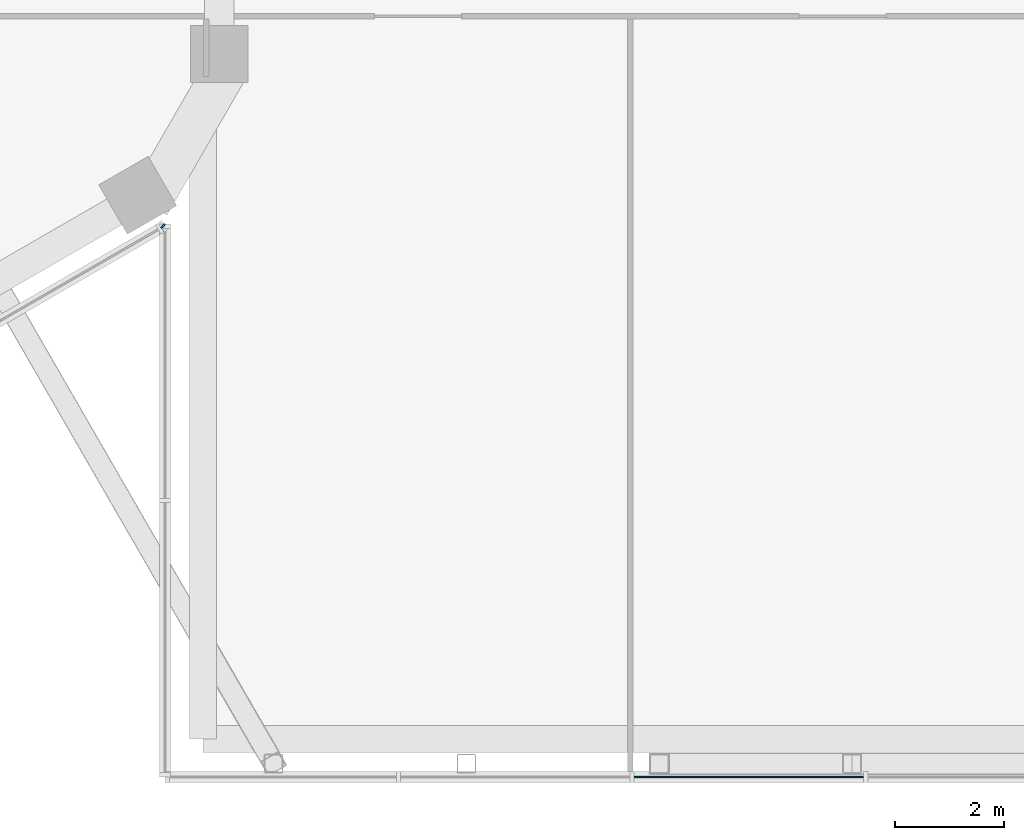
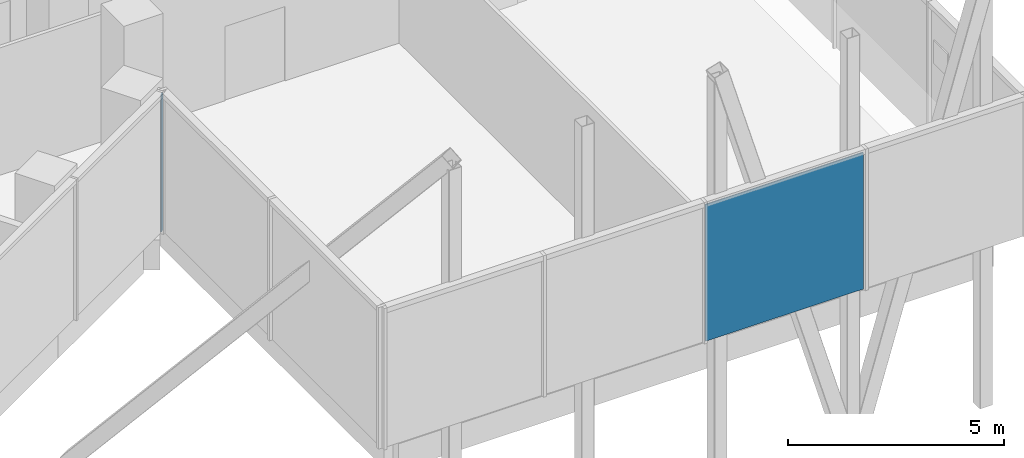
# One storey, part 14 of 24: 2 plates, 2 elements without a shape of their own.
"""IFC4 building model written with IfcOpenShell, lengths in metres."""

from ifc_helpers import new_model, si_unit, direction, frame, origin, origin_2d, place, context, subcontext, project, spatial, rectangle, extrude, material, layer, layer_set, type_object, element, aggregate, save


model = new_model("IFC4")

# Units and contexts
model_context = context("Model", 3, precision=1e-05, world=origin(), true_north=direction((0.0, 1.0)))
body_context = subcontext(model_context, "Body", "Model", "MODEL_VIEW")
ifc_project = project(units=[si_unit("LENGTHUNIT", "METRE"), si_unit("AREAUNIT", "SQUARE_METRE"), si_unit("VOLUMEUNIT", "CUBIC_METRE"), si_unit("PLANEANGLEUNIT", "RADIAN"), si_unit("MASSUNIT", "GRAM", prefix="KILO")], contexts=[model_context])

# Site, building, storey
site_placement = place(None, origin())
site = spatial("IfcSite", under=ifc_project, at=site_placement, CompositionType="ELEMENT")
building_placement = place(site_placement, origin())
building = spatial("IfcBuilding", under=site, at=building_placement, Name="Ayvan Gate Tower", CompositionType="ELEMENT")
storey_placement = place(building_placement, frame((0.0, 0.0, 124.5)))
storey = spatial("IfcBuildingStorey", under=building, at=storey_placement, Name="L33", CompositionType="ELEMENT", Elevation=124.5)

# Curtain wall, plate
ifc_material_1 = material(Name="Bronze anodised aluminium", Category="aluminium")
ifc_layer_1 = layer(ifc_material_1, 0.199951171875)
ifc_layer_set_1 = layer_set([ifc_layer_1], Name="Bronze anodised aluminium")
curtain_wall_type_1 = type_object("IfcCurtainWallType", Name="Stick curtain wall CW-4", PredefinedType="NOTDEFINED", material=ifc_layer_set_1)
curtain_wall_1_placement = place(storey_placement, origin())
curtain_wall_1 = element("IfcCurtainWall", 1, at=curtain_wall_1_placement, inside=storey, type_object=curtain_wall_type_1, Name="Stick curtain wall CW-4 L33", PredefinedType="NOTDEFINED")
ifc_material_2 = material(Name="Pale anodised aluminium composite panel", Category="aluminium")
ifc_layer_2 = layer(ifc_material_2, 0.028076171875)
ifc_layer_set_2 = layer_set([ifc_layer_2], Name="Pale anodised aluminium composite panel")
plate_type_1 = type_object("IfcPlateType", Name="Stick curtain wall CW-4 solid panel", PredefinedType="CURTAIN_PANEL", material=ifc_layer_set_2)
plate_1_placement = place(storey_placement, frame((29.235595703125, -21.949951171875, 0.0), z_axis=(0.0, 0.0, 1.0), x_axis=(1.0, 0.0, 0.0)))
plate_1 = element("IfcPlate", 2, at=plate_1_placement, type_object=plate_type_1, Name="CW-4 solid panel 3", PredefinedType="CURTAIN_PANEL", context=body_context, shape_type="SweptSolid", body=[
    extrude(rectangle(XDim=4.219970703125, YDim=0.028076171875, at=origin_2d()), origin(), (0.0, 0.0, 1.0), 3.860107421875),
])
aggregate(curtain_wall_1, [plate_1])

ifc_layer_3 = layer(ifc_material_1, 0.199951171875)
ifc_layer_set_3 = layer_set([ifc_layer_3], Name="Bronze anodised aluminium")
curtain_wall_type_2 = type_object("IfcCurtainWallType", Name="Stick curtain wall CW-6", PredefinedType="NOTDEFINED", material=ifc_layer_set_3)
curtain_wall_2_placement = place(storey_placement, origin())
curtain_wall_2 = element("IfcCurtainWall", 3, at=curtain_wall_2_placement, inside=storey, type_object=curtain_wall_type_2, Name="Stick curtain wall CW-6 L33", PredefinedType="NOTDEFINED")
ifc_material_3 = material(Name="Clear low-iron laminated glass", Category="glass")
ifc_layer_4 = layer(ifc_material_3, 0.028076171875)
ifc_layer_set_4 = layer_set([ifc_layer_4], Name="Clear low-iron laminated glass")
plate_type_2 = type_object("IfcPlateType", Name="Stick curtain wall CW-6 glass panel", PredefinedType="CURTAIN_PANEL", material=ifc_layer_set_4)
plate_2_placement = place(storey_placement, frame((18.450439453125, -11.806640625, 0.0), z_axis=(0.0, 0.0, 1.0), x_axis=(0.707106781187, 0.707106781187, 0.0)))
plate_2 = element("IfcPlate", 4, at=plate_2_placement, type_object=plate_type_2, Name="CW-6 glass panel 1", PredefinedType="CURTAIN_PANEL", context=body_context, shape_type="SweptSolid", body=[
    extrude(rectangle(XDim=0.099365234375, YDim=0.028076171875, at=origin_2d()), origin(), (0.0, 0.0, 1.0), 3.8798828125),
])
aggregate(curtain_wall_2, [plate_2])

save(model, "model.ifc")
